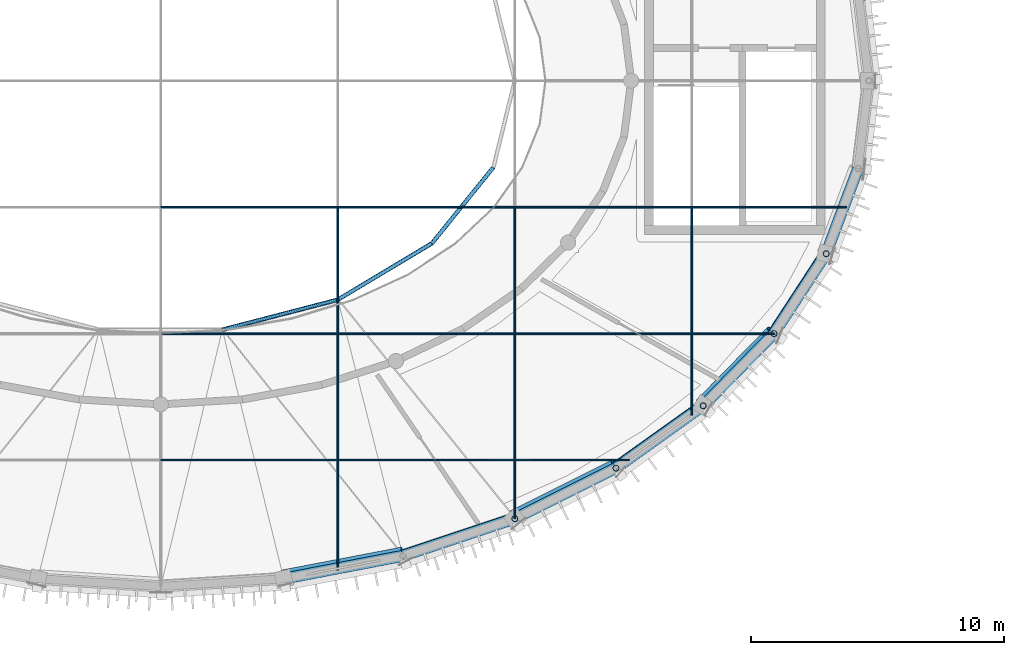
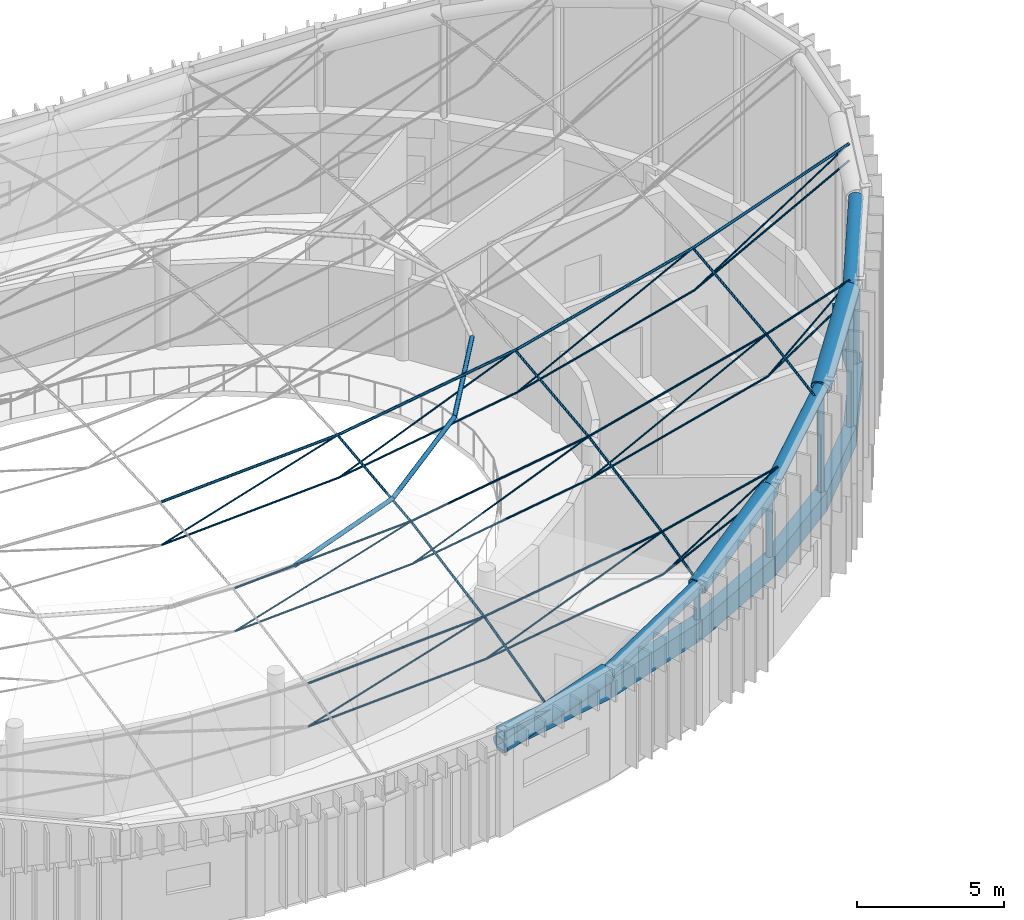
# One storey, part 7 of 36: 55 members, 7 beams.
"""IFC4 building model written with IfcOpenShell, lengths in metres."""

from ifc_helpers import new_model, si_unit, direction, frame, origin, origin_2d, place, context, subcontext, project, spatial, hollow_rectangle, circle, hollow_circle, extrude, material, material_profile, profile_set, type_object, element, save


model = new_model("IFC4")

# Units and contexts
model_context = context("Model", 3, precision=1e-05, world=origin(), true_north=direction((0.0, 1.0)))
body_context = subcontext(model_context, "Body", "Model", "MODEL_VIEW")
ifc_project = project(units=[si_unit("LENGTHUNIT", "METRE"), si_unit("AREAUNIT", "SQUARE_METRE"), si_unit("VOLUMEUNIT", "CUBIC_METRE"), si_unit("PLANEANGLEUNIT", "RADIAN"), si_unit("MASSUNIT", "GRAM", prefix="KILO")], contexts=[model_context])

# Site, building, storey
site_placement = place(None, origin())
site = spatial("IfcSite", under=ifc_project, at=site_placement, CompositionType="ELEMENT")
building_placement = place(site_placement, origin())
building = spatial("IfcBuilding", under=site, at=building_placement, Name="Tarnveldt Headland Concert Hall", CompositionType="ELEMENT")
storey_placement = place(building_placement, frame((0.0, 0.0, 22.800048828125)))
storey = spatial("IfcBuildingStorey", under=building, at=storey_placement, Name="L05", CompositionType="ELEMENT", Elevation=22.800048828125)

# Members
ifc_material = material(Name="Steel S355", Category="steel")
ifc_material_profile_1 = material_profile(ifc_material, circle(Radius=0.0458984375, at=origin_2d()), Name="LC D92", Category="steel")
ifc_profile_set_1 = profile_set([ifc_material_profile_1], Name="Steel S355")
member_type_1 = type_object("IfcMemberType", Name="CB-HOG92", PredefinedType="USERDEFINED", material=ifc_profile_set_1)
member_1_placement = place(storey_placement, frame((90.5, 35.135009765625, 4.10986328125), z_axis=(0.0, 0.968355058126, 0.249576604276), x_axis=(-1.0, 0.0, 0.0)))
element("IfcMember", 1, at=member_1_placement, inside=storey, type_object=member_type_1, Name="ROOF TRUSS CABLE prestress chord 83", ObjectType="CABLE", PredefinedType="USERDEFINED", context=body_context, shape_type="SweptSolid", body=[
    extrude(circle(Radius=0.0458984375, at=origin_2d()), origin(), (0.0, 0.0, 1.0), 4.507568359375),
])
member_2_placement = place(storey_placement, frame((90.5, 39.5, 5.23486328125), z_axis=(0.0, 0.982872186934, 0.18428853505), x_axis=(-1.0, 0.0, 0.0)))
element("IfcMember", 2, at=member_2_placement, inside=storey, type_object=member_type_1, Name="ROOF TRUSS CABLE prestress chord 84", ObjectType="CABLE", PredefinedType="USERDEFINED", context=body_context, shape_type="SweptSolid", body=[
    extrude(circle(Radius=0.0458984375, at=origin_2d()), origin(), (0.0, 0.0, 1.0), 5.087158203125),
])
member_3_placement = place(storey_placement, frame((90.5, 44.5, 6.17236328125), z_axis=(0.0, 0.993731316159, 0.111794773068), x_axis=(-1.0, 0.0, 0.0)))
element("IfcMember", 3, at=member_3_placement, inside=storey, type_object=member_type_1, Name="ROOF TRUSS CABLE prestress chord 85", ObjectType="CABLE", PredefinedType="USERDEFINED", context=body_context, shape_type="SweptSolid", body=[
    extrude(circle(Radius=0.0458984375, at=origin_2d()), origin(), (0.0, 0.0, 1.0), 5.031494140625),
])
member_4_placement = place(storey_placement, frame((97.5, 37.179443359375, 5.760009765625), z_axis=(0.0, 0.971855780858, 0.235576614318), x_axis=(-1.0, 0.0, 0.0)))
element("IfcMember", 4, at=member_4_placement, inside=storey, type_object=member_type_1, Name="ROOF TRUSS CABLE prestress chord 91", ObjectType="CABLE", PredefinedType="USERDEFINED", context=body_context, shape_type="SweptSolid", body=[
    extrude(circle(Radius=0.0458984375, at=origin_2d()), origin(), (0.0, 0.0, 1.0), 2.3876953125),
])
member_5_placement = place(storey_placement, frame((97.5, 39.5, 6.322509765625), z_axis=(0.0, 0.982872186934, 0.18428853505), x_axis=(-1.0, 0.0, 0.0)))
element("IfcMember", 5, at=member_5_placement, inside=storey, type_object=member_type_1, Name="ROOF TRUSS CABLE prestress chord 92", ObjectType="CABLE", PredefinedType="USERDEFINED", context=body_context, shape_type="SweptSolid", body=[
    extrude(circle(Radius=0.0458984375, at=origin_2d()), origin(), (0.0, 0.0, 1.0), 5.087158203125),
])
member_6_placement = place(storey_placement, frame((97.5, 44.5, 7.260009765625), z_axis=(0.0, 0.993731316159, 0.111794773068), x_axis=(-1.0, 0.0, 0.0)))
element("IfcMember", 6, at=member_6_placement, inside=storey, type_object=member_type_1, Name="ROOF TRUSS CABLE prestress chord 93", ObjectType="CABLE", PredefinedType="USERDEFINED", context=body_context, shape_type="SweptSolid", body=[
    extrude(circle(Radius=0.0458984375, at=origin_2d()), origin(), (0.0, 0.0, 1.0), 5.031494140625),
])
member_7_placement = place(storey_placement, frame((104.5, 41.271240234375, 8.510009765625), z_axis=(0.0, 0.985161412941, 0.171630389067), x_axis=(-1.0, 0.0, 0.0)))
element("IfcMember", 7, at=member_7_placement, inside=storey, type_object=member_type_1, Name="ROOF TRUSS CABLE prestress chord 99", ObjectType="CABLE", PredefinedType="USERDEFINED", context=body_context, shape_type="SweptSolid", body=[
    extrude(circle(Radius=0.0458984375, at=origin_2d()), origin(), (0.0, 0.0, 1.0), 3.27734375),
])
member_8_placement = place(storey_placement, frame((104.5, 44.5, 9.072509765625), z_axis=(0.0, 0.993731316159, 0.111794773068), x_axis=(-1.0, 0.0, 0.0)))
element("IfcMember", 8, at=member_8_placement, inside=storey, type_object=member_type_1, Name="ROOF TRUSS CABLE prestress chord 100", ObjectType="CABLE", PredefinedType="USERDEFINED", context=body_context, shape_type="SweptSolid", body=[
    extrude(circle(Radius=0.0458984375, at=origin_2d()), origin(), (0.0, 0.0, 1.0), 5.031494140625),
])
ifc_material_profile_2 = material_profile(ifc_material, circle(Radius=0.053955078125, at=origin_2d()), Name="LC D108", Category="steel")
ifc_profile_set_2 = profile_set([ifc_material_profile_2], Name="Steel S355")
member_type_2 = type_object("IfcMemberType", Name="CB-SAG108", PredefinedType="USERDEFINED", material=ifc_profile_set_2)
member_9_placement = place(storey_placement, frame((83.5, 49.5, 6.472412109375), z_axis=(0.99866145102, 0.0, 0.05172336268), x_axis=(0.0, 1.0, 0.0)))
element("IfcMember", 9, at=member_9_placement, inside=storey, type_object=member_type_2, Name="ROOF TRUSS CABLE sag chord 19", ObjectType="CABLE", PredefinedType="USERDEFINED", context=body_context, shape_type="SweptSolid", body=[
    extrude(circle(Radius=0.053955078125, at=origin_2d()), origin(), (0.0, 0.0, 1.0), 7.00927734375),
])
member_10_placement = place(storey_placement, frame((90.5, 49.5, 6.8349609375), z_axis=(0.988148319322, 0.0, 0.153502114058), x_axis=(0.0, 1.0, 0.0)))
element("IfcMember", 10, at=member_10_placement, inside=storey, type_object=member_type_2, Name="ROOF TRUSS CABLE sag chord 20", ObjectType="CABLE", PredefinedType="USERDEFINED", context=body_context, shape_type="SweptSolid", body=[
    extrude(circle(Radius=0.053955078125, at=origin_2d()), origin(), (0.0, 0.0, 1.0), 7.083984375),
])
member_11_placement = place(storey_placement, frame((97.5, 49.5, 7.92236328125), z_axis=(0.968074621179, 0.0, 0.250662178698), x_axis=(0.0, 1.0, 0.0)))
element("IfcMember", 11, at=member_11_placement, inside=storey, type_object=member_type_2, Name="ROOF TRUSS CABLE sag chord 21", ObjectType="CABLE", PredefinedType="USERDEFINED", context=body_context, shape_type="SweptSolid", body=[
    extrude(circle(Radius=0.053955078125, at=origin_2d()), origin(), (0.0, 0.0, 1.0), 7.23095703125),
])
member_12_placement = place(storey_placement, frame((104.5, 49.5, 9.73486328125), z_axis=(0.942102430183, 0.0, 0.335325231742), x_axis=(0.0, 1.0, 0.0)))
element("IfcMember", 12, at=member_12_placement, inside=storey, type_object=member_type_2, Name="ROOF TRUSS CABLE sag chord 22", ObjectType="CABLE", PredefinedType="USERDEFINED", context=body_context, shape_type="SweptSolid", body=[
    extrude(circle(Radius=0.053955078125, at=origin_2d()), origin(), (0.0, 0.0, 1.0), 6.486328125),
])
ifc_material_profile_3 = material_profile(ifc_material, circle(Radius=0.031982421875, at=origin_2d()), Name="LC D64", Category="steel")
ifc_profile_set_3 = profile_set([ifc_material_profile_3], Name="Steel S355")
member_type_3 = type_object("IfcMemberType", Name="CB-STAY64", PredefinedType="USERDEFINED", material=ifc_profile_set_3)
member_13_placement = place(storey_placement, frame((83.5, 39.5, 3.17236328125), z_axis=(0.955442632118, 0.0, 0.2951768567), x_axis=(0.0, 1.0, 0.0)))
element("IfcMember", 13, at=member_13_placement, inside=storey, type_object=member_type_3, Name="ROOF TRUSS CABLE diagonal 4", ObjectType="CABLE", PredefinedType="USERDEFINED", context=body_context, shape_type="SweptSolid", body=[
    extrude(circle(Radius=0.031982421875, at=origin_2d()), origin(), (0.0, 0.0, 1.0), 7.326416015625),
])
member_14_placement = place(storey_placement, frame((90.5, 39.5, 3.534912109375), z_axis=(0.924440874248, 0.0, 0.381325412239), x_axis=(0.0, 1.0, 0.0)))
element("IfcMember", 14, at=member_14_placement, inside=storey, type_object=member_type_3, Name="ROOF TRUSS CABLE diagonal 5", ObjectType="CABLE", PredefinedType="USERDEFINED", context=body_context, shape_type="SweptSolid", body=[
    extrude(circle(Radius=0.031982421875, at=origin_2d()), origin(), (0.0, 0.0, 1.0), 7.572265625),
])
member_15_placement = place(storey_placement, frame((97.5, 39.5, 4.62255859375), z_axis=(0.84273813245, 0.0, 0.538323731703), x_axis=(0.0, 1.0, 0.0)))
element("IfcMember", 15, at=member_15_placement, inside=storey, type_object=member_type_3, Name="ROOF TRUSS CABLE diagonal 6", ObjectType="CABLE", PredefinedType="USERDEFINED", context=body_context, shape_type="SweptSolid", body=[
    extrude(circle(Radius=0.031982421875, at=origin_2d()), origin(), (0.0, 0.0, 1.0), 5.36376953125),
])
member_16_placement = place(storey_placement, frame((83.5, 44.5, 4.10986328125), z_axis=(0.955442632118, 0.0, 0.2951768567), x_axis=(0.0, 1.0, 0.0)))
element("IfcMember", 16, at=member_16_placement, inside=storey, type_object=member_type_3, Name="ROOF TRUSS CABLE diagonal 11", ObjectType="CABLE", PredefinedType="USERDEFINED", context=body_context, shape_type="SweptSolid", body=[
    extrude(circle(Radius=0.031982421875, at=origin_2d()), origin(), (0.0, 0.0, 1.0), 7.326416015625),
])
member_17_placement = place(storey_placement, frame((90.5, 44.5, 4.472412109375), z_axis=(0.924440874248, 0.0, 0.381325412239), x_axis=(0.0, 1.0, 0.0)))
element("IfcMember", 17, at=member_17_placement, inside=storey, type_object=member_type_3, Name="ROOF TRUSS CABLE diagonal 12", ObjectType="CABLE", PredefinedType="USERDEFINED", context=body_context, shape_type="SweptSolid", body=[
    extrude(circle(Radius=0.031982421875, at=origin_2d()), origin(), (0.0, 0.0, 1.0), 7.572265625),
])
member_18_placement = place(storey_placement, frame((97.5, 44.5, 5.56005859375), z_axis=(0.888651623271, 0.0, 0.458582917757), x_axis=(0.0, 1.0, 0.0)))
element("IfcMember", 18, at=member_18_placement, inside=storey, type_object=member_type_3, Name="ROOF TRUSS CABLE diagonal 13", ObjectType="CABLE", PredefinedType="USERDEFINED", context=body_context, shape_type="SweptSolid", body=[
    extrude(circle(Radius=0.031982421875, at=origin_2d()), origin(), (0.0, 0.0, 1.0), 7.877197265625),
])
member_19_placement = place(storey_placement, frame((104.5, 44.5, 7.37255859375), z_axis=(0.747449604511, 0.0, 0.664318514507), x_axis=(0.0, 1.0, 0.0)))
element("IfcMember", 19, at=member_19_placement, inside=storey, type_object=member_type_3, Name="ROOF TRUSS CABLE diagonal 14", ObjectType="CABLE", PredefinedType="USERDEFINED", context=body_context, shape_type="SweptSolid", body=[
    extrude(circle(Radius=0.031982421875, at=origin_2d()), origin(), (0.0, 0.0, 1.0), 4.346435546875),
])
member_20_placement = place(storey_placement, frame((83.5, 49.5, 4.67236328125), z_axis=(0.955442632118, 0.0, 0.2951768567), x_axis=(0.0, 1.0, 0.0)))
element("IfcMember", 20, at=member_20_placement, inside=storey, type_object=member_type_3, Name="ROOF TRUSS CABLE diagonal 19", ObjectType="CABLE", PredefinedType="USERDEFINED", context=body_context, shape_type="SweptSolid", body=[
    extrude(circle(Radius=0.031982421875, at=origin_2d()), origin(), (0.0, 0.0, 1.0), 7.326416015625),
])
member_21_placement = place(storey_placement, frame((90.5, 49.5, 5.034912109375), z_axis=(0.924440874248, 0.0, 0.381325412239), x_axis=(0.0, 1.0, 0.0)))
element("IfcMember", 21, at=member_21_placement, inside=storey, type_object=member_type_3, Name="ROOF TRUSS CABLE diagonal 20", ObjectType="CABLE", PredefinedType="USERDEFINED", context=body_context, shape_type="SweptSolid", body=[
    extrude(circle(Radius=0.031982421875, at=origin_2d()), origin(), (0.0, 0.0, 1.0), 7.572265625),
])
member_22_placement = place(storey_placement, frame((97.5, 49.5, 6.12255859375), z_axis=(0.888651623271, 0.0, 0.458582917757), x_axis=(0.0, 1.0, 0.0)))
element("IfcMember", 22, at=member_22_placement, inside=storey, type_object=member_type_3, Name="ROOF TRUSS CABLE diagonal 21", ObjectType="CABLE", PredefinedType="USERDEFINED", context=body_context, shape_type="SweptSolid", body=[
    extrude(circle(Radius=0.031982421875, at=origin_2d()), origin(), (0.0, 0.0, 1.0), 7.877197265625),
])
member_23_placement = place(storey_placement, frame((104.5, 49.5, 7.93505859375), z_axis=(0.838267585522, 0.0, 0.545259071509), x_axis=(0.0, 1.0, 0.0)))
element("IfcMember", 23, at=member_23_placement, inside=storey, type_object=member_type_3, Name="ROOF TRUSS CABLE diagonal 22", ObjectType="CABLE", PredefinedType="USERDEFINED", context=body_context, shape_type="SweptSolid", body=[
    extrude(circle(Radius=0.031982421875, at=origin_2d()), origin(), (0.0, 0.0, 1.0), 7.289794921875),
])
ifc_material_profile_4 = material_profile(ifc_material, circle(Radius=0.0419921875, at=origin_2d()), Name="LC D84", Category="steel")
ifc_profile_set_4 = profile_set([ifc_material_profile_4], Name="Steel S355")
member_type_4 = type_object("IfcMemberType", Name="CB-STAY84", PredefinedType="USERDEFINED", material=ifc_profile_set_4)
member_24_placement = place(storey_placement, frame((83.5, 39.5, 4.972412109375), z_axis=(0.99866145102, 0.0, 0.05172336268), x_axis=(0.0, 1.0, 0.0)))
element("IfcMember", 24, at=member_24_placement, inside=storey, type_object=member_type_4, Name="ROOF TRUSS CABLE sag chord 4", ObjectType="CABLE", PredefinedType="USERDEFINED", context=body_context, shape_type="SweptSolid", body=[
    extrude(circle(Radius=0.0419921875, at=origin_2d()), origin(), (0.0, 0.0, 1.0), 7.00927734375),
])
member_25_placement = place(storey_placement, frame((90.5, 39.5, 5.3349609375), z_axis=(0.988148319322, 0.0, 0.153502114058), x_axis=(0.0, 1.0, 0.0)))
element("IfcMember", 25, at=member_25_placement, inside=storey, type_object=member_type_4, Name="ROOF TRUSS CABLE sag chord 5", ObjectType="CABLE", PredefinedType="USERDEFINED", context=body_context, shape_type="SweptSolid", body=[
    extrude(circle(Radius=0.0419921875, at=origin_2d()), origin(), (0.0, 0.0, 1.0), 7.083984375),
])
member_26_placement = place(storey_placement, frame((97.5, 39.5, 6.42236328125), z_axis=(0.972251290422, 0.0, 0.233938941336), x_axis=(0.0, 1.0, 0.0)))
element("IfcMember", 26, at=member_26_placement, inside=storey, type_object=member_type_4, Name="ROOF TRUSS CABLE sag chord 6", ObjectType="CABLE", PredefinedType="USERDEFINED", context=body_context, shape_type="SweptSolid", body=[
    extrude(circle(Radius=0.0419921875, at=origin_2d()), origin(), (0.0, 0.0, 1.0), 4.649169921875),
])
member_27_placement = place(storey_placement, frame((83.5, 44.5, 5.909912109375), z_axis=(0.99866145102, 0.0, 0.05172336268), x_axis=(0.0, 1.0, 0.0)))
element("IfcMember", 27, at=member_27_placement, inside=storey, type_object=member_type_4, Name="ROOF TRUSS CABLE sag chord 11", ObjectType="CABLE", PredefinedType="USERDEFINED", context=body_context, shape_type="SweptSolid", body=[
    extrude(circle(Radius=0.0419921875, at=origin_2d()), origin(), (0.0, 0.0, 1.0), 7.00927734375),
])
member_28_placement = place(storey_placement, frame((90.5, 44.5, 6.2724609375), z_axis=(0.988148319322, 0.0, 0.153502114058), x_axis=(0.0, 1.0, 0.0)))
element("IfcMember", 28, at=member_28_placement, inside=storey, type_object=member_type_4, Name="ROOF TRUSS CABLE sag chord 12", ObjectType="CABLE", PredefinedType="USERDEFINED", context=body_context, shape_type="SweptSolid", body=[
    extrude(circle(Radius=0.0419921875, at=origin_2d()), origin(), (0.0, 0.0, 1.0), 7.083984375),
])
member_29_placement = place(storey_placement, frame((97.5, 44.5, 7.35986328125), z_axis=(0.968074621179, 0.0, 0.250662178698), x_axis=(0.0, 1.0, 0.0)))
element("IfcMember", 29, at=member_29_placement, inside=storey, type_object=member_type_4, Name="ROOF TRUSS CABLE sag chord 13", ObjectType="CABLE", PredefinedType="USERDEFINED", context=body_context, shape_type="SweptSolid", body=[
    extrude(circle(Radius=0.0419921875, at=origin_2d()), origin(), (0.0, 0.0, 1.0), 7.23095703125),
])
member_30_placement = place(storey_placement, frame((104.5, 44.5, 9.17236328125), z_axis=(0.948269174357, 0.0, 0.317467436068), x_axis=(0.0, 1.0, 0.0)))
element("IfcMember", 30, at=member_30_placement, inside=storey, type_object=member_type_4, Name="ROOF TRUSS CABLE sag chord 14", ObjectType="CABLE", PredefinedType="USERDEFINED", context=body_context, shape_type="SweptSolid", body=[
    extrude(circle(Radius=0.0419921875, at=origin_2d()), origin(), (0.0, 0.0, 1.0), 3.426025390625),
])
ifc_material_profile_5 = material_profile(ifc_material, circle(Radius=0.0380859375, at=origin_2d()), Name="LC D76", Category="steel")
ifc_profile_set_5 = profile_set([ifc_material_profile_5], Name="Steel S355")
member_type_5 = type_object("IfcMemberType", Name="CB-TIE76", PredefinedType="USERDEFINED", material=ifc_profile_set_5)
member_31_placement = place(storey_placement, frame((83.5, 39.5, 3.17236328125), z_axis=(0.99866145102, 0.0, 0.05172336268), x_axis=(0.0, 1.0, 0.0)))
element("IfcMember", 31, at=member_31_placement, inside=storey, type_object=member_type_5, Name="ROOF TRUSS CABLE lower chord 4", ObjectType="CABLE", PredefinedType="USERDEFINED", context=body_context, shape_type="SweptSolid", body=[
    extrude(circle(Radius=0.0380859375, at=origin_2d()), origin(), (0.0, 0.0, 1.0), 7.00927734375),
])
member_32_placement = place(storey_placement, frame((90.5, 39.5, 3.534912109375), z_axis=(0.988143091198, 0.0, 0.1535357656), x_axis=(0.0, 1.0, 0.0)))
element("IfcMember", 32, at=member_32_placement, inside=storey, type_object=member_type_5, Name="ROOF TRUSS CABLE lower chord 5", ObjectType="CABLE", PredefinedType="USERDEFINED", context=body_context, shape_type="SweptSolid", body=[
    extrude(circle(Radius=0.0380859375, at=origin_2d()), origin(), (0.0, 0.0, 1.0), 7.083984375),
])
member_33_placement = place(storey_placement, frame((97.5, 39.5, 4.62255859375), z_axis=(0.900137729445, 0.0, 0.435605404041), x_axis=(0.0, 1.0, 0.0)))
element("IfcMember", 33, at=member_33_placement, inside=storey, type_object=member_type_5, Name="ROOF TRUSS CABLE lower chord 6", ObjectType="CABLE", PredefinedType="USERDEFINED", context=body_context, shape_type="SweptSolid", body=[
    extrude(circle(Radius=0.0380859375, at=origin_2d()), origin(), (0.0, 0.0, 1.0), 5.021728515625),
])
member_34_placement = place(storey_placement, frame((83.5, 44.5, 4.10986328125), z_axis=(0.99866145102, 0.0, 0.05172336268), x_axis=(0.0, 1.0, 0.0)))
element("IfcMember", 34, at=member_34_placement, inside=storey, type_object=member_type_5, Name="ROOF TRUSS CABLE lower chord 11", ObjectType="CABLE", PredefinedType="USERDEFINED", context=body_context, shape_type="SweptSolid", body=[
    extrude(circle(Radius=0.0380859375, at=origin_2d()), origin(), (0.0, 0.0, 1.0), 7.00927734375),
])
member_35_placement = place(storey_placement, frame((90.5, 44.5, 4.472412109375), z_axis=(0.988143091198, 0.0, 0.1535357656), x_axis=(0.0, 1.0, 0.0)))
element("IfcMember", 35, at=member_35_placement, inside=storey, type_object=member_type_5, Name="ROOF TRUSS CABLE lower chord 12", ObjectType="CABLE", PredefinedType="USERDEFINED", context=body_context, shape_type="SweptSolid", body=[
    extrude(circle(Radius=0.0380859375, at=origin_2d()), origin(), (0.0, 0.0, 1.0), 7.083984375),
])
member_36_placement = place(storey_placement, frame((97.5, 44.5, 5.56005859375), z_axis=(0.968074621179, 0.0, 0.250662178698), x_axis=(0.0, 1.0, 0.0)))
element("IfcMember", 36, at=member_36_placement, inside=storey, type_object=member_type_5, Name="ROOF TRUSS CABLE lower chord 13", ObjectType="CABLE", PredefinedType="USERDEFINED", context=body_context, shape_type="SweptSolid", body=[
    extrude(circle(Radius=0.0380859375, at=origin_2d()), origin(), (0.0, 0.0, 1.0), 7.23095703125),
])
member_37_placement = place(storey_placement, frame((104.5, 44.5, 7.37255859375), z_axis=(0.829490559876, 0.0, 0.558520734688), x_axis=(0.0, 1.0, 0.0)))
element("IfcMember", 37, at=member_37_placement, inside=storey, type_object=member_type_5, Name="ROOF TRUSS CABLE lower chord 14", ObjectType="CABLE", PredefinedType="USERDEFINED", context=body_context, shape_type="SweptSolid", body=[
    extrude(circle(Radius=0.0380859375, at=origin_2d()), origin(), (0.0, 0.0, 1.0), 3.91650390625),
])
member_38_placement = place(storey_placement, frame((83.5, 49.5, 4.67236328125), z_axis=(0.99866145102, 0.0, 0.05172336268), x_axis=(0.0, 1.0, 0.0)))
element("IfcMember", 38, at=member_38_placement, inside=storey, type_object=member_type_5, Name="ROOF TRUSS CABLE lower chord 19", ObjectType="CABLE", PredefinedType="USERDEFINED", context=body_context, shape_type="SweptSolid", body=[
    extrude(circle(Radius=0.0380859375, at=origin_2d()), origin(), (0.0, 0.0, 1.0), 7.00927734375),
])
member_39_placement = place(storey_placement, frame((90.5, 49.5, 5.034912109375), z_axis=(0.988143091198, 0.0, 0.1535357656), x_axis=(0.0, 1.0, 0.0)))
element("IfcMember", 39, at=member_39_placement, inside=storey, type_object=member_type_5, Name="ROOF TRUSS CABLE lower chord 20", ObjectType="CABLE", PredefinedType="USERDEFINED", context=body_context, shape_type="SweptSolid", body=[
    extrude(circle(Radius=0.0380859375, at=origin_2d()), origin(), (0.0, 0.0, 1.0), 7.083984375),
])
member_40_placement = place(storey_placement, frame((97.5, 49.5, 6.12255859375), z_axis=(0.968074621179, 0.0, 0.250662178698), x_axis=(0.0, 1.0, 0.0)))
element("IfcMember", 40, at=member_40_placement, inside=storey, type_object=member_type_5, Name="ROOF TRUSS CABLE lower chord 21", ObjectType="CABLE", PredefinedType="USERDEFINED", context=body_context, shape_type="SweptSolid", body=[
    extrude(circle(Radius=0.0380859375, at=origin_2d()), origin(), (0.0, 0.0, 1.0), 7.23095703125),
])
member_41_placement = place(storey_placement, frame((104.5, 49.5, 7.93505859375), z_axis=(0.881405622385, 0.0, 0.472360168545), x_axis=(0.0, 1.0, 0.0)))
element("IfcMember", 41, at=member_41_placement, inside=storey, type_object=member_type_5, Name="ROOF TRUSS CABLE lower chord 22", ObjectType="CABLE", PredefinedType="USERDEFINED", context=body_context, shape_type="SweptSolid", body=[
    extrude(circle(Radius=0.0380859375, at=origin_2d()), origin(), (0.0, 0.0, 1.0), 6.93310546875),
])
ifc_material_profile_6 = material_profile(ifc_material, hollow_circle(Radius=0.084228515625, WallThickness=0.010009765625, at=origin_2d()), Name="CHS 168.3x10", Category="steel")
ifc_profile_set_6 = profile_set([ifc_material_profile_6], Name="Steel S355")
member_type_6 = type_object("IfcMemberType", Name="PR-CHS168", PredefinedType="PURLIN", material=ifc_profile_set_6)
member_42_placement = place(storey_placement, frame((85.93115234375, 44.65185546875, 5.896240234375), z_axis=(0.962790907549, 0.250292709481, 0.101917750767), x_axis=(-0.251602848607, 0.967830567079, 0.0)))
element("IfcMember", 42, at=member_42_placement, inside=storey, type_object=member_type_6, Name="Saddle roof ring purlin 15", PredefinedType="PURLIN", context=body_context, shape_type="SweptSolid", body=[
    extrude(hollow_circle(Radius=0.084228515625, WallThickness=0.010009765625, at=origin_2d()), origin(), (0.0, 0.0, 1.0), 4.745361328125),
])
member_43_placement = place(storey_placement, frame((90.5, 45.839599609375, 6.3798828125), z_axis=(0.845510150532, 0.506774044079, 0.168204202076), x_axis=(-0.51409883539, 0.857730952834, 0.0)))
element("IfcMember", 43, at=member_43_placement, inside=storey, type_object=member_type_6, Name="Saddle roof ring purlin 16", PredefinedType="PURLIN", context=body_context, shape_type="SweptSolid", body=[
    extrude(hollow_circle(Radius=0.084228515625, WallThickness=0.010009765625, at=origin_2d()), origin(), (0.0, 0.0, 1.0), 4.4052734375),
])
member_44_placement = place(storey_placement, frame((94.224609375, 48.072021484375, 7.120849609375), z_axis=(0.619876647106, 0.766909047234, 0.166142877197), x_axis=(-0.77771801274, 0.628613309324, 0.0)))
element("IfcMember", 44, at=member_44_placement, inside=storey, type_object=member_type_6, Name="Saddle roof ring purlin 17", PredefinedType="PURLIN", context=body_context, shape_type="SweptSolid", body=[
    extrude(hollow_circle(Radius=0.084228515625, WallThickness=0.010009765625, at=origin_2d()), origin(), (0.0, 0.0, 1.0), 3.921875),
])

# Beams
ifc_material_profile_7 = material_profile(ifc_material, hollow_rectangle(XDim=0.449951171875, YDim=0.800048828125, WallThickness=0.028076171875, at=origin_2d()), Name="RHS 800x450x28", Category="steel")
ifc_profile_set_7 = profile_set([ifc_material_profile_7], Name="Steel S355")
beam_type = type_object("IfcBeamType", Name="RB-01", PredefinedType="BEAM", material=ifc_profile_set_7)
beam_1_placement = place(storey_placement, frame((88.362060546875, 34.8037109375, 3.800048828125), z_axis=(0.982172578083, 0.187981453503, 0.0), x_axis=(-0.187981453503, 0.982172578083, 0.0)))
element("IfcBeam", 45, at=beam_1_placement, inside=storey, type_object=beam_type, Name="Compression RING BEAM chord 29", PredefinedType="BEAM", context=body_context, shape_type="SweptSolid", body=[
    extrude(hollow_rectangle(XDim=0.449951171875, YDim=0.800048828125, WallThickness=0.028076171875, at=origin_2d()), origin(), (0.0, 0.0, 1.0), 4.80029296875),
])
beam_2_placement = place(storey_placement, frame((93.07666015625, 35.7060546875, 3.800048828125), z_axis=(0.948751350732, 0.316023534699, 0.0), x_axis=(-0.316023534699, 0.948751350732, 0.0)))
element("IfcBeam", 46, at=beam_2_placement, inside=storey, type_object=beam_type, Name="Compression RING BEAM chord 30", PredefinedType="BEAM", context=body_context, shape_type="SweptSolid", body=[
    extrude(hollow_rectangle(XDim=0.449951171875, YDim=0.800048828125, WallThickness=0.028076171875, at=origin_2d()), origin(), (0.0, 0.0, 1.0), 4.662353515625),
])
beam_3_placement = place(storey_placement, frame((97.5, 37.179443359375, 3.800048828125), z_axis=(0.894361644392, 0.447344664705, 0.0), x_axis=(-0.447344664705, 0.894361644392, 0.0)))
element("IfcBeam", 47, at=beam_3_placement, inside=storey, type_object=beam_type, Name="Compression RING BEAM chord 31", PredefinedType="BEAM", context=body_context, shape_type="SweptSolid", body=[
    extrude(hollow_rectangle(XDim=0.449951171875, YDim=0.800048828125, WallThickness=0.028076171875, at=origin_2d()), origin(), (0.0, 0.0, 1.0), 4.47021484375),
])
beam_4_placement = place(storey_placement, frame((101.498046875, 39.17919921875, 3.800048828125), z_axis=(0.813737360708, 0.581232748378, 0.0), x_axis=(-0.581232748378, 0.813737360708, 0.0)))
element("IfcBeam", 48, at=beam_4_placement, inside=storey, type_object=beam_type, Name="Compression RING BEAM chord 32", PredefinedType="BEAM", context=body_context, shape_type="SweptSolid", body=[
    extrude(hollow_rectangle(XDim=0.449951171875, YDim=0.800048828125, WallThickness=0.028076171875, at=origin_2d()), origin(), (0.0, 0.0, 1.0), 4.2412109375),
])
beam_5_placement = place(storey_placement, frame((104.94921875, 41.644287109375, 3.800048828125), z_axis=(0.700051268358, 0.714092586203, 0.0), x_axis=(-0.714092586203, 0.700051268358, 0.0)))
element("IfcBeam", 49, at=beam_5_placement, inside=storey, type_object=beam_type, Name="Compression RING BEAM chord 33", PredefinedType="BEAM", context=body_context, shape_type="SweptSolid", body=[
    extrude(hollow_rectangle(XDim=0.449951171875, YDim=0.800048828125, WallThickness=0.028076171875, at=origin_2d()), origin(), (0.0, 0.0, 1.0), 3.9990234375),
])
beam_6_placement = place(storey_placement, frame((107.748779296875, 44.5, 3.800048828125), z_axis=(0.546611158382, 0.837386554425, 0.0), x_axis=(-0.837386554425, 0.546611158382, 0.0)))
element("IfcBeam", 50, at=beam_6_placement, inside=storey, type_object=beam_type, Name="Compression RING BEAM chord 34", PredefinedType="BEAM", context=body_context, shape_type="SweptSolid", body=[
    extrude(hollow_rectangle(XDim=0.449951171875, YDim=0.800048828125, WallThickness=0.028076171875, at=origin_2d()), origin(), (0.0, 0.0, 1.0), 3.773193359375),
])
beam_7_placement = place(storey_placement, frame((109.811279296875, 47.65966796875, 3.800048828125), z_axis=(0.351279653979, 0.936270583058, 0.0), x_axis=(-0.936270583058, 0.351279653979, 0.0)))
element("IfcBeam", 51, at=beam_7_placement, inside=storey, type_object=beam_type, Name="Compression RING BEAM chord 35", PredefinedType="BEAM", context=body_context, shape_type="SweptSolid", body=[
    extrude(hollow_rectangle(XDim=0.449951171875, YDim=0.800048828125, WallThickness=0.028076171875, at=origin_2d()), origin(), (0.0, 0.0, 1.0), 3.5966796875),
])

# Members
ifc_material_profile_8 = material_profile(ifc_material, hollow_circle(Radius=0.25390625, WallThickness=0.02490234375, at=origin_2d()), Name="CHS 508x25", Category="steel")
ifc_profile_set_8 = profile_set([ifc_material_profile_8], Name="Steel S355")
member_type_7 = type_object("IfcMemberType", Name="SR-CHS508", PredefinedType="CHORD", material=ifc_profile_set_8)
member_45_placement = place(storey_placement, frame((93.07666015625, 35.7060546875, 4.349365234375), z_axis=(0.920187353059, 0.306509033873, 0.243531204212), x_axis=(-0.316023534699, 0.948751350732, 0.0)))
element("IfcMember", 52, at=member_45_placement, inside=storey, type_object=member_type_7, Name="Saddle boundary arch RING BEAM rib 30", PredefinedType="CHORD", context=body_context, shape_type="SweptSolid", body=[
    extrude(hollow_circle(Radius=0.25390625, WallThickness=0.02490234375, at=origin_2d()), origin(), (0.0, 0.0, 1.0), 4.806884765625),
])
member_46_placement = place(storey_placement, frame((101.498046875, 39.17919921875, 6.9560546875), z_axis=(0.76557639291, 0.546832543804, 0.338920279204), x_axis=(-0.581232748378, 0.813737360708, 0.0)))
element("IfcMember", 53, at=member_46_placement, inside=storey, type_object=member_type_7, Name="Saddle boundary arch RING BEAM rib 32", PredefinedType="CHORD", context=body_context, shape_type="SweptSolid", body=[
    extrude(hollow_circle(Radius=0.25390625, WallThickness=0.02490234375, at=origin_2d()), origin(), (0.0, 0.0, 1.0), 4.508056640625),
])
member_47_placement = place(storey_placement, frame((107.748779296875, 44.5, 9.919921875), z_axis=(0.52206257762, 0.799779105061, 0.296317478656), x_axis=(-0.837386554425, 0.546611158382, 0.0)))
element("IfcMember", 54, at=member_47_placement, inside=storey, type_object=member_type_7, Name="Saddle boundary arch RING BEAM rib 34", PredefinedType="CHORD", context=body_context, shape_type="SweptSolid", body=[
    extrude(hollow_circle(Radius=0.25390625, WallThickness=0.02490234375, at=origin_2d()), origin(), (0.0, 0.0, 1.0), 3.95068359375),
])
ifc_material_profile_9 = material_profile(ifc_material, hollow_circle(Radius=0.35546875, WallThickness=0.028076171875, at=origin_2d()), Name="CHS 711x28", Category="steel")
ifc_profile_set_9 = profile_set([ifc_material_profile_9], Name="Steel S355")
member_type_8 = type_object("IfcMemberType", Name="SR-CHS711", PredefinedType="CHORD", material=ifc_profile_set_9)
member_48_placement = place(storey_placement, frame((88.362060546875, 34.8037109375, 3.585205078125), z_axis=(0.969958737495, 0.185643803727, 0.157214584867), x_axis=(-0.187981453503, 0.982172578083, 0.0)))
element("IfcMember", 55, at=member_48_placement, inside=storey, type_object=member_type_8, Name="Saddle boundary arch RING BEAM rib 29", PredefinedType="CHORD", context=body_context, shape_type="SweptSolid", body=[
    extrude(hollow_circle(Radius=0.35546875, WallThickness=0.028076171875, at=origin_2d()), origin(), (0.0, 0.0, 1.0), 4.860595703125),
])
member_49_placement = place(storey_placement, frame((97.5, 37.179443359375, 5.52001953125), z_axis=(0.851504460205, 0.425908221393, 0.305846924458), x_axis=(-0.447344664705, 0.894361644392, 0.0)))
element("IfcMember", 56, at=member_49_placement, inside=storey, type_object=member_type_8, Name="Saddle boundary arch RING BEAM rib 31", PredefinedType="CHORD", context=body_context, shape_type="SweptSolid", body=[
    extrude(hollow_circle(Radius=0.35546875, WallThickness=0.028076171875, at=origin_2d()), origin(), (0.0, 0.0, 1.0), 4.6953125),
])
member_50_placement = place(storey_placement, frame((104.94921875, 41.644287109375, 8.48388671875), z_axis=(0.658859988915, 0.672075110346, 0.337962366338), x_axis=(-0.714092586203, 0.700051268358, 0.0)))
element("IfcMember", 57, at=member_50_placement, inside=storey, type_object=member_type_8, Name="Saddle boundary arch RING BEAM rib 33", PredefinedType="CHORD", context=body_context, shape_type="SweptSolid", body=[
    extrude(hollow_circle(Radius=0.35546875, WallThickness=0.028076171875, at=origin_2d()), origin(), (0.0, 0.0, 1.0), 4.2490234375),
])
ifc_material_profile_10 = material_profile(ifc_material, hollow_circle(Radius=0.122314453125, WallThickness=0.01611328125, at=origin_2d()), Name="CHS 244.5x16", Category="steel")
ifc_profile_set_10 = profile_set([ifc_material_profile_10], Name="Steel S355")
member_type_9 = type_object("IfcMemberType", Name="TR-CHORD244", PredefinedType="POST", material=ifc_profile_set_10)
member_51_placement = place(storey_placement, frame((97.5, 37.179443359375, 3.849853515625), z_axis=(0.0, 0.0, 1.0), x_axis=(1.0, 0.0, 0.0)))
element("IfcMember", 58, at=member_51_placement, inside=storey, type_object=member_type_9, Name="Saddle ring pedestal strut 31", PredefinedType="POST", context=body_context, shape_type="SweptSolid", body=[
    extrude(hollow_circle(Radius=0.122314453125, WallThickness=0.01611328125, at=origin_2d()), origin(), (0.0, 0.0, 1.0), 1.670166015625),
])
member_52_placement = place(storey_placement, frame((101.498046875, 39.17919921875, 3.849853515625), z_axis=(0.0, 0.0, 1.0), x_axis=(1.0, 0.0, 0.0)))
element("IfcMember", 59, at=member_52_placement, inside=storey, type_object=member_type_9, Name="Saddle ring pedestal strut 32", PredefinedType="POST", context=body_context, shape_type="SweptSolid", body=[
    extrude(hollow_circle(Radius=0.122314453125, WallThickness=0.01611328125, at=origin_2d()), origin(), (0.0, 0.0, 1.0), 3.106201171875),
])
member_53_placement = place(storey_placement, frame((104.94921875, 41.644287109375, 3.849853515625), z_axis=(0.0, 0.0, 1.0), x_axis=(1.0, 0.0, 0.0)))
element("IfcMember", 60, at=member_53_placement, inside=storey, type_object=member_type_9, Name="Saddle ring pedestal strut 33", PredefinedType="POST", context=body_context, shape_type="SweptSolid", body=[
    extrude(hollow_circle(Radius=0.122314453125, WallThickness=0.01611328125, at=origin_2d()), origin(), (0.0, 0.0, 1.0), 4.634033203125),
])
member_54_placement = place(storey_placement, frame((107.748779296875, 44.5, 3.849853515625), z_axis=(0.0, 0.0, 1.0), x_axis=(1.0, 0.0, 0.0)))
element("IfcMember", 61, at=member_54_placement, inside=storey, type_object=member_type_9, Name="Saddle ring pedestal strut 34", PredefinedType="POST", context=body_context, shape_type="SweptSolid", body=[
    extrude(hollow_circle(Radius=0.122314453125, WallThickness=0.01611328125, at=origin_2d()), origin(), (0.0, 0.0, 1.0), 6.070068359375),
])
member_55_placement = place(storey_placement, frame((109.811279296875, 47.65966796875, 3.849853515625), z_axis=(0.0, 0.0, 1.0), x_axis=(1.0, 0.0, 0.0)))
element("IfcMember", 62, at=member_55_placement, inside=storey, type_object=member_type_9, Name="Saddle ring pedestal strut 35", PredefinedType="POST", context=body_context, shape_type="SweptSolid", body=[
    extrude(hollow_circle(Radius=0.122314453125, WallThickness=0.01611328125, at=origin_2d()), origin(), (0.0, 0.0, 1.0), 7.24072265625),
])

save(model, "model.ifc")
